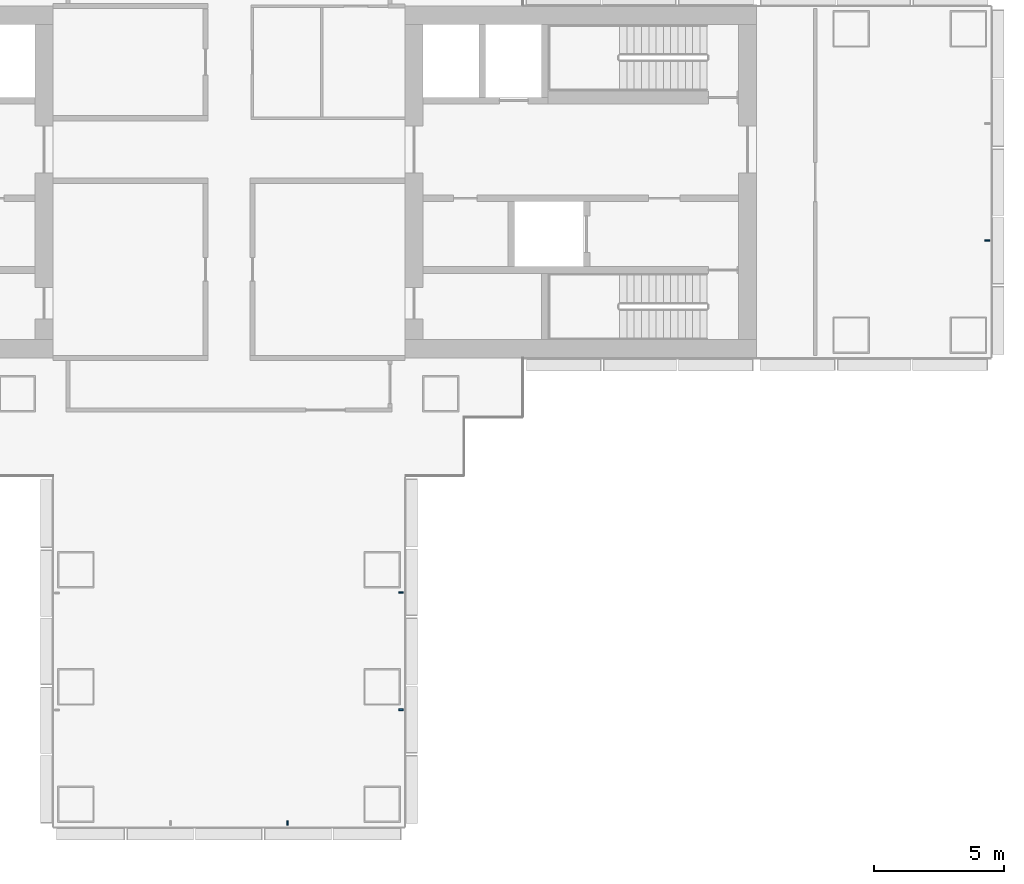
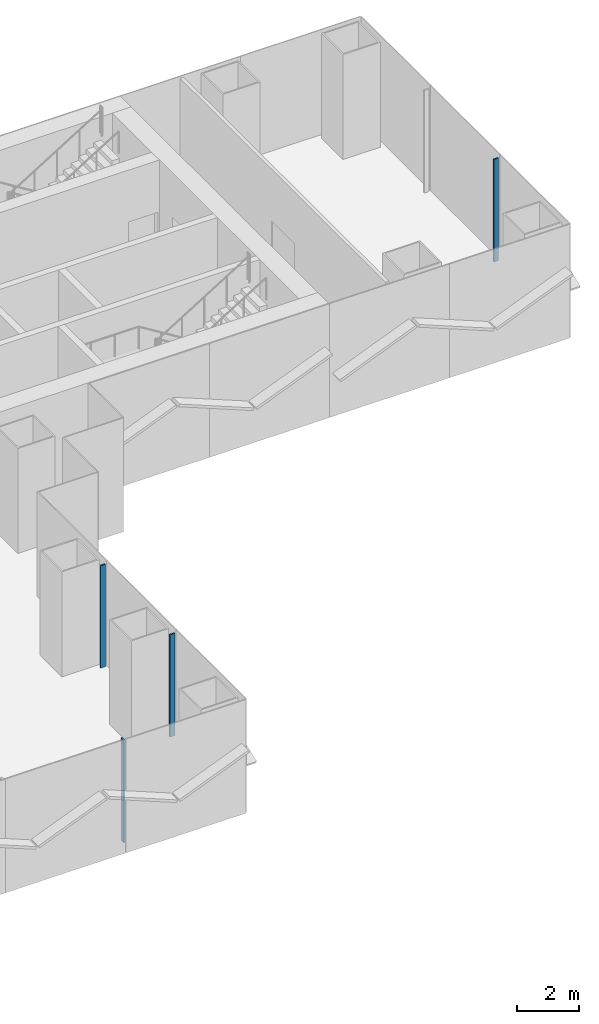
# One storey, part 8 of 22: 4 members, 3 elements without a shape of their own.
"""IFC4 building model written with IfcOpenShell, lengths in metres."""

from ifc_helpers import new_model, si_unit, direction, frame, origin, origin_2d, place, context, subcontext, project, spatial, rectangle, extrude, material, layer, layer_set, material_profile, profile_set, type_object, element, aggregate, save


model = new_model("IFC4")

# Units and contexts
model_context = context("Model", 3, precision=1e-05, world=origin(), true_north=direction((0.0, 1.0)))
body_context = subcontext(model_context, "Body", "Model", "MODEL_VIEW")
ifc_project = project(units=[si_unit("LENGTHUNIT", "METRE"), si_unit("AREAUNIT", "SQUARE_METRE"), si_unit("VOLUMEUNIT", "CUBIC_METRE"), si_unit("PLANEANGLEUNIT", "RADIAN"), si_unit("MASSUNIT", "GRAM", prefix="KILO")], contexts=[model_context])

# Site, building, storey
site_placement = place(None, origin())
site = spatial("IfcSite", under=ifc_project, at=site_placement, CompositionType="ELEMENT")
building_placement = place(site_placement, origin())
building = spatial("IfcBuilding", under=site, at=building_placement, Name="Shamsa Quay Exchange Towers", CompositionType="ELEMENT")
storey_placement = place(building_placement, frame((0.0, 0.0, 33.0)))
storey = spatial("IfcBuildingStorey", under=building, at=storey_placement, Name="L06", CompositionType="ELEMENT", Elevation=33.0)

# Curtain wall, member
ifc_material = material(Name="Aluminium EN AW-6063 T6, black anodised", Category="aluminium")
ifc_layer = layer(ifc_material, 0.280029296875)
ifc_layer_set = layer_set([ifc_layer], Name="CW-1 UNITISED VISION GLASS")
curtain_wall_type = type_object("IfcCurtainWallType", Name="CW-1 UNITISED VISION GLASS", PredefinedType="NOTDEFINED", material=ifc_layer_set)
curtain_wall_1_placement = place(storey_placement, origin())
curtain_wall_1 = element("IfcCurtainWall", 1, at=curtain_wall_1_placement, inside=storey, type_object=curtain_wall_type, Name="CW1 T2-END-V- L06", PredefinedType="NOTDEFINED")
ifc_material_profile = material_profile(ifc_material, rectangle(XDim=0.179931640625, YDim=0.06005859375, at=origin_2d()), Name="MU60x180")
ifc_profile_set = profile_set([ifc_material_profile], Name="Aluminium EN AW-6063 T6, black anodised")
member_type = type_object("IfcMemberType", Name="CW1 MULLION 60x180", PredefinedType="MULLION", material=ifc_profile_set)
member_1_placement = place(storey_placement, frame((62.85009765625, -2.25, 0.0), z_axis=(0.0, 0.0, 1.0), x_axis=(-1.0, 0.0, 0.0)))
member_1 = element("IfcMember", 2, at=member_1_placement, type_object=member_type, Name="CW1 mullion", PredefinedType="MULLION", context=body_context, shape_type="SweptSolid", body=[
    extrude(rectangle(XDim=0.179931640625, YDim=0.06005859375, at=origin_2d()), origin(), (0.0, 0.0, 1.0), 4.050048828125),
])
aggregate(curtain_wall_1, [member_1])

curtain_wall_2_placement = place(storey_placement, origin())
curtain_wall_2 = element("IfcCurtainWall", 3, at=curtain_wall_2_placement, inside=storey, type_object=curtain_wall_type, Name="CW1 T2-END-U- L06", PredefinedType="NOTDEFINED")
member_2_placement = place(storey_placement, frame((36.0, -24.60009765625, 0.0), z_axis=(0.0, 0.0, 1.0), x_axis=(0.0, 1.0, 0.0)))
member_2 = element("IfcMember", 4, at=member_2_placement, type_object=member_type, Name="CW1 mullion", PredefinedType="MULLION", context=body_context, shape_type="SweptSolid", body=[
    extrude(rectangle(XDim=0.179931640625, YDim=0.06005859375, at=origin_2d()), origin(), (0.0, 0.0, 1.0), 4.050048828125),
])
aggregate(curtain_wall_2, [member_2])

# Curtain wall, members
curtain_wall_3_placement = place(storey_placement, origin())
curtain_wall_3 = element("IfcCurtainWall", 5, at=curtain_wall_3_placement, inside=storey, type_object=curtain_wall_type, Name="CW1 T2-FLK-U-S L06", PredefinedType="NOTDEFINED")
member_3_placement = place(storey_placement, frame((40.35009765625, -20.25, 0.0), z_axis=(0.0, 0.0, 1.0), x_axis=(-1.0, 0.0, 0.0)))
member_3 = element("IfcMember", 6, at=member_3_placement, type_object=member_type, Name="CW1 mullion", PredefinedType="MULLION", context=body_context, shape_type="SweptSolid", body=[
    extrude(rectangle(XDim=0.179931640625, YDim=0.06005859375, at=origin_2d()), origin(), (0.0, 0.0, 1.0), 4.050048828125),
])
member_4_placement = place(storey_placement, frame((40.35009765625, -15.75, 0.0), z_axis=(0.0, 0.0, 1.0), x_axis=(-1.0, 0.0, 0.0)))
member_4 = element("IfcMember", 7, at=member_4_placement, type_object=member_type, Name="CW1 mullion", PredefinedType="MULLION", context=body_context, shape_type="SweptSolid", body=[
    extrude(rectangle(XDim=0.179931640625, YDim=0.06005859375, at=origin_2d()), origin(), (0.0, 0.0, 1.0), 4.050048828125),
])
aggregate(curtain_wall_3, [member_3, member_4])

save(model, "model.ifc")
